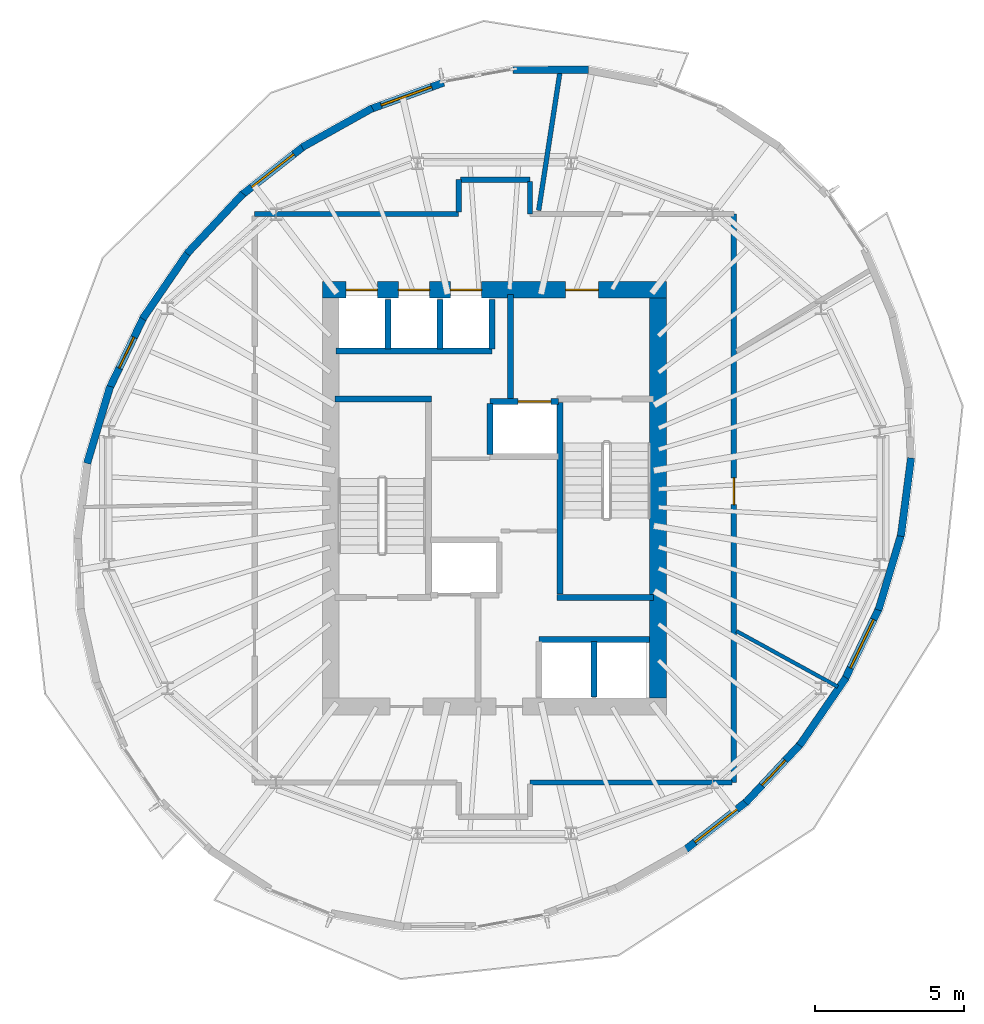
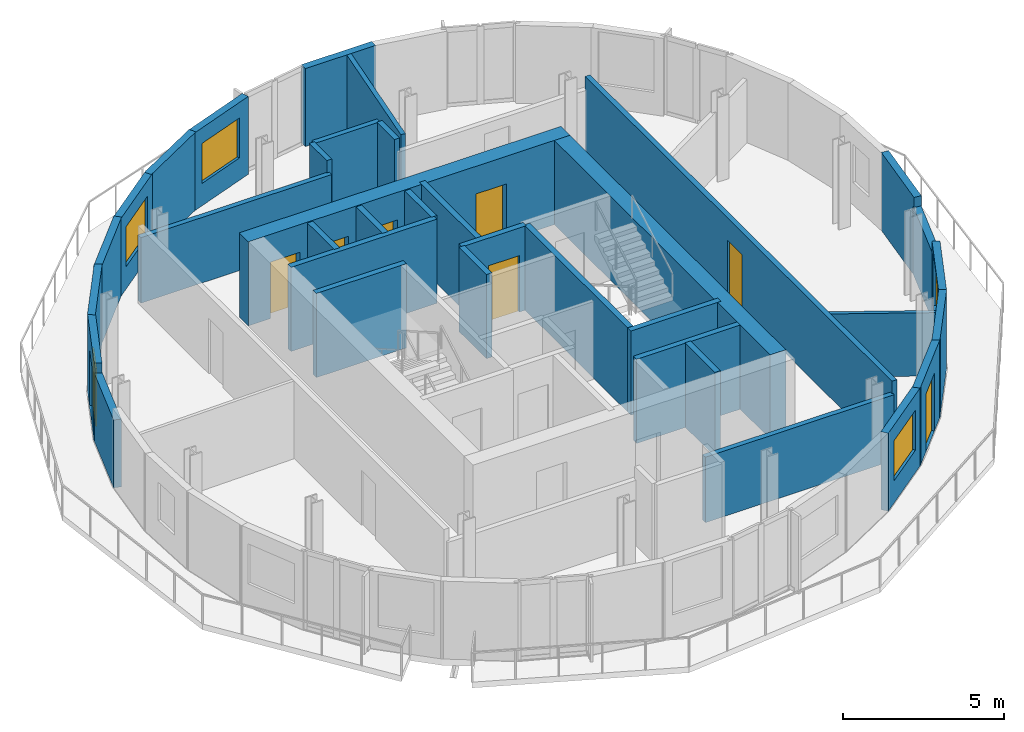
# One storey, part 5 of 9: 36 walls, 8 doors, 4 windows, 12 openings.
"""IFC4 building model written with IfcOpenShell, lengths in metres."""

from ifc_helpers import new_model, si_unit, direction, frame, frame_2d, origin, place, context, subcontext, project, spatial, rectangle, extrude, material, layer, layer_set, type_object, element, fill, save


model = new_model("IFC4")

# Units and contexts
model_context = context("Model", 3, precision=1e-05, world=origin(), true_north=direction((0.0, 1.0)))
body_context = subcontext(model_context, "Body", "Model", "MODEL_VIEW")
ifc_project = project(units=[si_unit("LENGTHUNIT", "METRE"), si_unit("AREAUNIT", "SQUARE_METRE"), si_unit("VOLUMEUNIT", "CUBIC_METRE"), si_unit("PLANEANGLEUNIT", "RADIAN"), si_unit("MASSUNIT", "GRAM", prefix="KILO")], contexts=[model_context])

# Site, building, storey
site_placement = place(None, origin())
site = spatial("IfcSite", under=ifc_project, at=site_placement, CompositionType="ELEMENT")
building_placement = place(site_placement, origin())
building = spatial("IfcBuilding", under=site, at=building_placement, Name="Veldorim Arch Residences", CompositionType="ELEMENT")
storey_placement = place(building_placement, frame((0.0, 0.0, 204.639892578125)))
storey = spatial("IfcBuildingStorey", under=building, at=storey_placement, Name="L61", CompositionType="ELEMENT", Elevation=204.639892578125)

# Walls
ifc_material_1 = material(Name="Acoustic Gypsum Board", Category="gypsum")
ifc_layer_1 = layer(ifc_material_1, 0.125, Name="Acoustic Stud Room Partition Wall 125")
ifc_layer_set_1 = layer_set([ifc_layer_1], Name="Acoustic Gypsum Board")
wall_type_1 = type_object("IfcWallType", Name="Acoustic Stud Room Partition Wall 125", PredefinedType="PARTITIONING", material=ifc_layer_set_1)
wall_1_placement = place(storey_placement, frame((40.1376953125, 19.53369140625, 0.0), z_axis=(0.0, 0.0, 1.0), x_axis=(0.876643036825, -0.481141336809, 0.0)))
element("IfcWall", 1, at=wall_1_placement, inside=storey, type_object=wall_type_1, Name="L61 interior wall WL-SKY-L61-015", PredefinedType="PARTITIONING", context=body_context, shape_type="SweptSolid", body=[
    extrude(rectangle(XDim=3.8828125, YDim=0.125, at=frame_2d((1.94140625, 0.0))), origin(), (0.0, 0.0, 1.0), 2.403564453125),
])
ifc_material_2 = material(Name="Lightweight Masonry Block & Gypsum", Category="masonry")
ifc_layer_2 = layer(ifc_material_2, 0.179931640625, Name="Compartment & Corridor Fire-Rated Party Wall 180")
ifc_layer_set_2 = layer_set([ifc_layer_2], Name="Lightweight Masonry Block & Gypsum")
wall_type_2 = type_object("IfcWallType", Name="Compartment & Corridor Fire-Rated Party Wall 180", PredefinedType="PARTITIONING", material=ifc_layer_set_2)
wall_2_placement = place(storey_placement, frame((23.949951171875, 33.550048828125, 0.0), z_axis=(0.0, 0.0, 1.0), x_axis=(1.0, 0.0, 0.0)))
element("IfcWall", 2, at=wall_2_placement, inside=storey, type_object=wall_type_2, Name="L61 interior wall WL-SKY-L61-001", PredefinedType="PARTITIONING", context=body_context, shape_type="SweptSolid", body=[
    extrude(rectangle(XDim=6.85009765625, YDim=0.179931640625, at=frame_2d((3.425048828125, 0.0))), origin(), (0.0, 0.0, 1.0), 2.488037109375),
])
wall_3_placement = place(storey_placement, frame((30.800048828125, 33.610107421875, 0.0), z_axis=(0.0, 0.0, 1.0), x_axis=(0.0, 1.0, 0.0)))
element("IfcWall", 3, at=wall_3_placement, inside=storey, type_object=wall_type_2, Name="L61 interior wall WL-SKY-L61-002", PredefinedType="PARTITIONING", context=body_context, shape_type="SweptSolid", body=[
    extrude(rectangle(XDim=1.08984375, YDim=0.179931640625, at=frame_2d((0.544921875, 0.0))), origin(), (0.0, 0.0, 1.0), 2.955078125),
])
wall_4_placement = place(storey_placement, frame((30.860107421875, 34.699951171875, 0.0), z_axis=(0.0, 0.0, 1.0), x_axis=(1.0, 0.0, 0.0)))
element("IfcWall", 4, at=wall_4_placement, inside=storey, type_object=wall_type_2, Name="L61 interior wall WL-SKY-L61-003", PredefinedType="PARTITIONING", context=body_context, shape_type="SweptSolid", body=[
    extrude(rectangle(XDim=2.33984375, YDim=0.179931640625, at=frame_2d((1.169921875, 0.0))), origin(), (0.0, 0.0, 1.0), 2.955078125),
])
wall_5_placement = place(storey_placement, frame((33.199951171875, 34.639892578125, 0.0), z_axis=(0.0, 0.0, 1.0), x_axis=(0.0, -1.0, 0.0)))
element("IfcWall", 5, at=wall_5_placement, inside=storey, type_object=wall_type_2, Name="L61 interior wall WL-SKY-L61-004", PredefinedType="PARTITIONING", context=body_context, shape_type="SweptSolid", body=[
    extrude(rectangle(XDim=1.08984375, YDim=0.179931640625, at=frame_2d((0.544921875, 0.0))), origin(), (0.0, 0.0, 1.0), 2.955078125),
])

# Wall, opening, door
wall_6_placement = place(storey_placement, frame((40.050048828125, 33.550048828125, 0.0), z_axis=(0.0, 0.0, 1.0), x_axis=(0.0, -1.0, 0.0)))
wall_6 = element("IfcWall", 6, at=wall_6_placement, inside=storey, type_object=wall_type_2, Name="L61 interior wall WL-SKY-L61-007", PredefinedType="PARTITIONING", context=body_context, shape_type="SweptSolid", body=[
    extrude(rectangle(XDim=19.10009765625, YDim=0.179931640625, at=frame_2d((9.550048828125, 0.0))), origin(), (0.0, 0.0, 1.0), 2.955078125),
])
opening_1_placement = place(wall_6_placement, frame((8.867431640625, 0.0, 0.0)))
opening_1 = element("IfcOpeningElement", 7, at=opening_1_placement, cuts=wall_6, Name="Opening DR-INT", PredefinedType="OPENING", context=body_context, shape_type="SweptSolid", body=[
    extrude(rectangle(XDim=0.89990234375, YDim=2.10009765625, at=frame_2d((0.449951171875, 1.050048828125))), frame((0.0, 0.099853515625, 0.0), z_axis=(0.0, -1.0, 0.0), x_axis=(1.0, 0.0, 0.0)), (0.0, 0.0, 1.0), 0.199951171875),
])
ifc_material_3 = material(Name="Engineered Timber", Category="wood")
door_type_1 = type_object("IfcDoorType", Name="Apartment Internal Room Timber Door 900x2100", OperationType="SINGLE_SWING_LEFT", PredefinedType="DOOR", material=ifc_material_3)
door_1_placement = place(opening_1_placement, origin())
door_1 = element("IfcDoor", 8, at=door_1_placement, inside=storey, type_object=door_type_1, Name="L61 interior door DR-SKY-L61-003", OperationType="SINGLE_SWING_LEFT", OverallHeight=2.10009765625, OverallWidth=0.89990234375, PredefinedType="DOOR", context=body_context, shape_type="SweptSolid", body=[
    extrude(rectangle(XDim=0.89990234375, YDim=2.10009765625, at=frame_2d((0.449951171875, 1.050048828125))), frame((0.0, 0.02490234375, 0.0), z_axis=(0.0, -1.0, 0.0), x_axis=(1.0, 0.0, 0.0)), (0.0, 0.0, 1.0), 0.050048828125),
])
fill(opening_1, door_1)

# Walls
wall_7_placement = place(storey_placement, frame((39.989990234375, 14.449951171875, 0.0), z_axis=(0.0, 0.0, 1.0), x_axis=(-1.0, 0.0, 0.0)))
element("IfcWall", 9, at=wall_7_placement, inside=storey, type_object=wall_type_2, Name="L61 interior wall WL-SKY-L61-008", PredefinedType="PARTITIONING", context=body_context, shape_type="SweptSolid", body=[
    extrude(rectangle(XDim=6.7900390625, YDim=0.179931640625, at=frame_2d((3.39501953125, 0.0))), origin(), (0.0, 0.0, 1.0), 2.488037109375),
])
ifc_material_4 = material(Name="Concrete C50/60", Category="concrete")
ifc_layer_3 = layer(ifc_material_4, 0.199951171875, Name="Core Stair & Lift Shaft Enclosure Wall 200")
ifc_layer_set_3 = layer_set([ifc_layer_3], Name="Concrete C50/60")
wall_type_3 = type_object("IfcWallType", Name="Core Stair & Lift Shaft Enclosure Wall 200", PredefinedType="SHEAR", material=ifc_layer_set_3)
wall_8_placement = place(storey_placement, frame((26.64990234375, 27.330078125, 0.0), z_axis=(0.0, 0.0, 1.0), x_axis=(1.0, 0.0, 0.0)))
element("IfcWall", 10, at=wall_8_placement, inside=storey, type_object=wall_type_3, Name="L61 shaft wall WL-SHF-L61-ST1-N", PredefinedType="SHEAR", context=body_context, shape_type="SweptSolid", body=[
    extrude(rectangle(XDim=3.239990234375, YDim=0.199951171875, at=frame_2d((1.6201171875, 0.0))), origin(), (0.0, 0.0, 1.0), 3.2001953125),
])
wall_9_placement = place(storey_placement, frame((34.2099609375, 20.780029296875, 0.0), z_axis=(0.0, 0.0, 1.0), x_axis=(0.0, 1.0, 0.0)))
element("IfcWall", 11, at=wall_9_placement, inside=storey, type_object=wall_type_3, Name="L61 shaft wall WL-SHF-L61-ST2-W", PredefinedType="SHEAR", context=body_context, shape_type="SweptSolid", body=[
    extrude(rectangle(XDim=6.43994140625, YDim=0.199951171875, at=frame_2d((3.219970703125, 0.0))), origin(), (0.0, 0.0, 1.0), 3.2001953125),
])
wall_10_placement = place(storey_placement, frame((34.110107421875, 20.669921875, 0.0), z_axis=(0.0, 0.0, 1.0), x_axis=(1.0, 0.0, 0.0)))
element("IfcWall", 12, at=wall_10_placement, inside=storey, type_object=wall_type_3, Name="L61 shaft wall WL-SHF-L61-ST2-S", PredefinedType="SHEAR", context=body_context, shape_type="SweptSolid", body=[
    extrude(rectangle(XDim=3.239990234375, YDim=0.199951171875, at=frame_2d((1.6201171875, 0.0))), origin(), (0.0, 0.0, 1.0), 3.2001953125),
])
wall_11_placement = place(storey_placement, frame((32.550048828125, 27.35009765625, 0.0), z_axis=(0.0, 0.0, 1.0), x_axis=(0.0, 1.0, 0.0)))
element("IfcWall", 13, at=wall_11_placement, inside=storey, type_object=wall_type_3, Name="L61 shaft wall WL-FFL2-L61-W", PredefinedType="SHEAR", context=body_context, shape_type="SweptSolid", body=[
    extrude(rectangle(XDim=3.5, YDim=0.199951171875, at=frame_2d((1.75, 0.0))), origin(), (0.0, 0.0, 1.0), 3.2001953125),
])

# Wall, opening, door
wall_12_placement = place(storey_placement, frame((31.85009765625, 27.25, 0.0), z_axis=(0.0, 0.0, 1.0), x_axis=(1.0, 0.0, 0.0)))
wall_12 = element("IfcWall", 14, at=wall_12_placement, inside=storey, type_object=wall_type_3, Name="L61 shaft wall WL-FL02-L61-N", PredefinedType="SHEAR", context=body_context, shape_type="SweptSolid", body=[
    extrude(rectangle(XDim=2.2998046875, YDim=0.199951171875, at=frame_2d((1.14990234375, 0.0))), origin(), (0.0, 0.0, 1.0), 3.2001953125),
])
opening_2_placement = place(wall_12_placement, frame((0.949951171875, 0.0, 0.0)))
opening_2 = element("IfcOpeningElement", 15, at=opening_2_placement, cuts=wall_12, Name="Opening LD-FF", PredefinedType="OPENING", context=body_context, shape_type="SweptSolid", body=[
    extrude(rectangle(XDim=1.10009765625, YDim=2.14990234375, at=frame_2d((0.550048828125, 1.074951171875))), frame((0.0, 0.10986328125, 0.0), z_axis=(0.0, -1.0, 0.0), x_axis=(1.0, 0.0, 0.0)), (0.0, 0.0, 1.0), 0.219970703125),
])
ifc_material_5 = material(Name="Stainless Steel", Category="steel")
door_type_2 = type_object("IfcDoorType", Name="Firefighting Lift Bi-Parting Sliding Landing Door 1100x2150", OperationType="DOUBLE_DOOR_SLIDING", PredefinedType="DOOR", material=ifc_material_5)
door_2_placement = place(opening_2_placement, origin())
door_2 = element("IfcDoor", 16, at=door_2_placement, inside=storey, type_object=door_type_2, Name="L61 lift landing door LD-L61-FL02", OperationType="DOUBLE_DOOR_SLIDING", OverallHeight=2.14990234375, OverallWidth=1.10009765625, PredefinedType="DOOR", context=body_context, shape_type="SweptSolid", body=[
    extrude(rectangle(XDim=1.10009765625, YDim=2.14990234375, at=frame_2d((0.550048828125, 1.074951171875))), frame((0.0, 0.02490234375, 0.0), z_axis=(0.0, -1.0, 0.0), x_axis=(1.0, 0.0, 0.0)), (0.0, 0.0, 1.0), 0.050048828125),
])
fill(opening_2, door_2)

# Walls
wall_13_placement = place(storey_placement, frame((31.85009765625, 25.469970703125, 0.0), z_axis=(0.0, 0.0, 1.0), x_axis=(0.0, 1.0, 0.0)))
element("IfcWall", 17, at=wall_13_placement, inside=storey, type_object=wall_type_3, Name="L61 shaft wall WL-FL02-L61-W", PredefinedType="SHEAR", context=body_context, shape_type="SweptSolid", body=[
    extrude(rectangle(XDim=1.7099609375, YDim=0.199951171875, at=frame_2d((0.85498046875, 0.0))), origin(), (0.0, 0.0, 1.0), 3.2001953125),
])
wall_14_placement = place(storey_placement, frame((26.679931640625, 28.949951171875, 0.0), z_axis=(0.0, 0.0, 1.0), x_axis=(1.0, 0.0, 0.0)))
element("IfcWall", 18, at=wall_14_placement, inside=storey, type_object=wall_type_3, Name="L61 shaft wall WL-B3-L61-S", PredefinedType="SHEAR", context=body_context, shape_type="SweptSolid", body=[
    extrude(rectangle(XDim=5.239990234375, YDim=0.199951171875, at=frame_2d((2.6201171875, 0.0))), origin(), (0.0, 0.0, 1.0), 3.2001953125),
])
for number, where, z_axis, x_axis, name in (
    (19, (31.919921875, 29.02001953125, 0.0), (0.0, 0.0, 1.0), (0.0, 1.0, 0.0), "L61 shaft wall WL-B3-L61-E"),
    (20, (28.425048828125, 29.02001953125, 0.0), (0.0, 0.0, 1.0), (0.0, 1.0, 0.0), "L61 shaft wall WL-B3-L61-D1"),
    (21, (30.175048828125, 29.02001953125, 0.0), (0.0, 0.0, 1.0), (0.0, 1.0, 0.0), "L61 shaft wall WL-B3-L61-D2"),
):
    element("IfcWall", number, at=place(storey_placement, frame(where, z_axis=z_axis, x_axis=x_axis)), inside=storey, type_object=wall_type_3, Name=name, PredefinedType="SHEAR", context=body_context, shape_type="SweptSolid", body=[
        extrude(rectangle(XDim=1.659912109375, YDim=0.199951171875, at=frame_2d((0.830078125, 0.0))), origin(), (0.0, 0.0, 1.0), 3.2001953125),
    ])
wall_15_placement = place(storey_placement, frame((33.5, 19.25, 0.0), z_axis=(0.0, 0.0, 1.0), x_axis=(1.0, 0.0, 0.0)))
element("IfcWall", 22, at=wall_15_placement, inside=storey, type_object=wall_type_3, Name="L61 shaft wall WL-OL-L61-N", PredefinedType="SHEAR", context=body_context, shape_type="SweptSolid", body=[
    extrude(rectangle(XDim=3.719970703125, YDim=0.199951171875, at=frame_2d((1.85986328125, 0.0))), origin(), (0.0, 0.0, 1.0), 3.2001953125),
])
wall_16_placement = place(storey_placement, frame((35.35009765625, 17.320068359375, 0.0), z_axis=(0.0, 0.0, 1.0), x_axis=(0.0, 1.0, 0.0)))
element("IfcWall", 23, at=wall_16_placement, inside=storey, type_object=wall_type_3, Name="L61 shaft wall WL-OL-L61-D1", PredefinedType="SHEAR", context=body_context, shape_type="SweptSolid", body=[
    extrude(rectangle(XDim=1.85986328125, YDim=0.199951171875, at=frame_2d((0.929931640625, 0.0))), origin(), (0.0, 0.0, 1.0), 3.2001953125),
])
ifc_material_6 = material(Name="Precast concrete C40/50", Category="concrete")
ifc_layer_4 = layer(ifc_material_6, 0.25, Name="Tower Terracotta Spandrel & Pier Wall 250")
ifc_layer_set_4 = layer_set([ifc_layer_4], Name="Precast concrete C40/50")
wall_type_4 = type_object("IfcWallType", Name="Tower Terracotta Spandrel & Pier Wall 250", PredefinedType="SOLIDWALL", material=ifc_layer_set_4)
wall_17_placement = place(storey_placement, frame((32.626220703125, 38.386474609375, 0.0), z_axis=(0.0, 0.0, 1.0), x_axis=(0.999998809943, 0.001542761639, 0.0)))
element("IfcWall", 24, at=wall_17_placement, inside=storey, type_object=wall_type_4, Name="L61 terracotta facade wall 04", PredefinedType="SOLIDWALL", context=body_context, shape_type="SweptSolid", body=[
    extrude(rectangle(XDim=2.531982421875, YDim=0.25, at=frame_2d((1.26611328125, 0.0))), origin(), (0.0, 0.0, 1.0), 2.960205078125),
])

# Wall, opening, window
wall_18_placement = place(storey_placement, frame((27.80078125, 37.06201171875, 0.0), z_axis=(0.0, 0.0, 1.0), x_axis=(0.940228234169, 0.340544956901, 0.0)))
wall_18 = element("IfcWall", 25, at=wall_18_placement, inside=storey, type_object=wall_type_4, Name="L61 terracotta facade wall 06", PredefinedType="SOLIDWALL", context=body_context, shape_type="SweptSolid", body=[
    extrude(rectangle(XDim=2.651123046875, YDim=0.25, at=frame_2d((1.32568359375, 0.0))), origin(), (0.0, 0.0, 1.0), 2.960205078125),
])
opening_3_placement = place(wall_18_placement, frame((0.425048828125, 0.0, 0.85009765625)))
opening_3 = element("IfcOpeningElement", 26, at=opening_3_placement, cuts=wall_18, Name="Opening WN-04", PredefinedType="OPENING", context=body_context, shape_type="SweptSolid", body=[
    extrude(rectangle(XDim=1.800048828125, YDim=1.52001953125, at=frame_2d((0.89990234375, 0.760009765625))), frame((0.0, 0.135009765625, 0.0), z_axis=(0.0, -1.0, 0.0), x_axis=(1.0, 0.0, 0.0)), (0.0, 0.0, 1.0), 0.27001953125),
])
ifc_material_7 = material(Name="Laminated Low-E Glass", Category="glass")
window_type = type_object("IfcWindowType", Name="Sky Lounge Tall Picture Window 1800x1370", PartitioningType="SINGLE_PANEL", PredefinedType="WINDOW", material=ifc_material_7)
window_1_placement = place(opening_3_placement, origin())
window_1 = element("IfcWindow", 27, at=window_1_placement, inside=storey, type_object=window_type, Name="L61 solar-control facade window 06", OverallHeight=1.52001953125, OverallWidth=1.800048828125, PartitioningType="SINGLE_PANEL", PredefinedType="WINDOW", context=body_context, shape_type="SweptSolid", body=[
    extrude(rectangle(XDim=1.800048828125, YDim=1.52001953125, at=frame_2d((0.89990234375, 0.760009765625))), frame((0.0, 0.030029296875, 0.0), z_axis=(0.0, -1.0, 0.0), x_axis=(1.0, 0.0, 0.0)), (0.0, 0.0, 1.0), 0.06005859375),
])
fill(opening_3, window_1)

# Wall
wall_19_placement = place(storey_placement, frame((25.541748046875, 35.791015625, 0.0), z_axis=(0.0, 0.0, 1.0), x_axis=(0.873170871474, 0.487414227541, 0.0)))
element("IfcWall", 28, at=wall_19_placement, inside=storey, type_object=wall_type_4, Name="L61 terracotta facade wall 07", PredefinedType="SOLIDWALL", context=body_context, shape_type="SweptSolid", body=[
    extrude(rectangle(XDim=2.701904296875, YDim=0.25, at=frame_2d((1.35107421875, 0.0))), origin(), (0.0, 0.0, 1.0), 2.960205078125),
])

# Wall, opening, window
wall_20_placement = place(storey_placement, frame((23.478515625, 34.160888671875, 0.0), z_axis=(0.0, 0.0, 1.0), x_axis=(0.786714177012, 0.617317425389, 0.0)))
wall_20 = element("IfcWall", 29, at=wall_20_placement, inside=storey, type_object=wall_type_4, Name="L61 terracotta facade wall 08", PredefinedType="SOLIDWALL", context=body_context, shape_type="SweptSolid", body=[
    extrude(rectangle(XDim=2.73828125, YDim=0.25, at=frame_2d((1.369140625, 0.0))), origin(), (0.0, 0.0, 1.0), 2.960205078125),
])
opening_4_placement = place(wall_20_placement, frame((0.468994140625, 0.0, 0.85009765625)))
opening_4 = element("IfcOpeningElement", 30, at=opening_4_placement, cuts=wall_20, Name="Opening WN-04", PredefinedType="OPENING", context=body_context, shape_type="SweptSolid", body=[
    extrude(rectangle(XDim=1.800048828125, YDim=1.52001953125, at=frame_2d((0.89990234375, 0.760009765625))), frame((0.0, 0.135009765625, 0.0), z_axis=(0.0, -1.0, 0.0), x_axis=(1.0, 0.0, 0.0)), (0.0, 0.0, 1.0), 0.27001953125),
])
window_2_placement = place(opening_4_placement, origin())
window_2 = element("IfcWindow", 31, at=window_2_placement, inside=storey, type_object=window_type, Name="L61 solar-control facade window 08", OverallHeight=1.52001953125, OverallWidth=1.800048828125, PartitioningType="SINGLE_PANEL", PredefinedType="WINDOW", context=body_context, shape_type="SweptSolid", body=[
    extrude(rectangle(XDim=1.800048828125, YDim=1.52001953125, at=frame_2d((0.89990234375, 0.760009765625))), frame((0.0, 0.030029296875, 0.0), z_axis=(0.0, -1.0, 0.0), x_axis=(1.0, 0.0, 0.0)), (0.0, 0.0, 1.0), 0.06005859375),
])
fill(opening_4, window_2)

# Walls
for number, where, z_axis, x_axis, name in (
    (32, (21.673828125, 32.220703125, 0.0), (0.0, 0.0, 1.0), (0.683352018902, 0.730089048174, 0.0), "L61 terracotta facade wall 09"),
    (33, (20.183349609375, 30.0302734375, 0.0), (0.0, 0.0, 1.0), (0.565115417993, 0.825011857095, 0.0), "L61 terracotta facade wall 10"),
):
    element("IfcWall", number, at=place(storey_placement, frame(where, z_axis=z_axis, x_axis=x_axis)), inside=storey, type_object=wall_type_4, Name=name, PredefinedType="SOLIDWALL", context=body_context, shape_type="SweptSolid", body=[
        extrude(rectangle(XDim=2.758056640625, YDim=0.25, at=frame_2d((1.37890625, 0.0))), origin(), (0.0, 0.0, 1.0), 2.960205078125),
    ])

# Wall, opening, door
wall_21_placement = place(storey_placement, frame((19.052490234375, 27.65576171875, 0.0), z_axis=(0.0, 0.0, 1.0), x_axis=(0.432820910529, 0.901479927347, 0.0)))
wall_21 = element("IfcWall", 34, at=wall_21_placement, inside=storey, type_object=wall_type_4, Name="L61 terracotta facade wall 11", PredefinedType="SOLIDWALL", context=body_context, shape_type="SweptSolid", body=[
    extrude(rectangle(XDim=2.738525390625, YDim=0.25, at=frame_2d((1.369140625, 0.0))), origin(), (0.0, 0.0, 1.0), 2.960205078125),
])
opening_5_placement = place(wall_21_placement, frame((0.7939453125, 0.0, 0.0)))
opening_5 = element("IfcOpeningElement", 35, at=opening_5_placement, cuts=wall_21, Name="Opening BL-DR", PredefinedType="OPENING", context=body_context, shape_type="SweptSolid", body=[
    extrude(rectangle(XDim=1.14990234375, YDim=2.199951171875, at=frame_2d((0.574951171875, 1.10009765625))), frame((0.0, 0.135009765625, 0.0), z_axis=(0.0, -1.0, 0.0), x_axis=(1.0, 0.0, 0.0)), (0.0, 0.0, 1.0), 0.27001953125),
])
ifc_material_8 = material(Name="Aluminium & Low-E Glass", Category="aluminium")
door_type_3 = type_object("IfcDoorType", Name="Glazed Planted Balcony Door 1150x2200", OperationType="SINGLE_SWING_LEFT", PredefinedType="DOOR", material=ifc_material_8)
door_3_placement = place(opening_5_placement, origin())
door_3 = element("IfcDoor", 36, at=door_3_placement, inside=storey, type_object=door_type_3, Name="L61 glazed outdoor terrace door BALC-1", OperationType="SINGLE_SWING_LEFT", OverallHeight=2.199951171875, OverallWidth=1.14990234375, PredefinedType="DOOR", context=body_context, shape_type="SweptSolid", body=[
    extrude(rectangle(XDim=1.14990234375, YDim=2.199951171875, at=frame_2d((0.574951171875, 1.10009765625))), frame((0.0, 0.02490234375, 0.0), z_axis=(0.0, -1.0, 0.0), x_axis=(1.0, 0.0, 0.0)), (0.0, 0.0, 1.0), 0.050048828125),
])
fill(opening_5, door_3)

# Wall
wall_22_placement = place(storey_placement, frame((18.316162109375, 25.169921875, 0.0), z_axis=(0.0, 0.0, 1.0), x_axis=(0.287206932984, 0.957868559692, 0.0)))
element("IfcWall", 37, at=wall_22_placement, inside=storey, type_object=wall_type_4, Name="L61 terracotta facade wall 12", PredefinedType="SOLIDWALL", context=body_context, shape_type="SweptSolid", body=[
    extrude(rectangle(XDim=2.701416015625, YDim=0.25, at=frame_2d((1.3505859375, 0.0))), origin(), (0.0, 0.0, 1.0), 2.5771484375),
])

# Wall, opening, window
wall_23_placement = place(storey_placement, frame((40.521484375, 13.839111328125, 0.0), z_axis=(0.0, 0.0, 1.0), x_axis=(-0.786714177012, -0.617317425389, 0.0)))
wall_23 = element("IfcWall", 38, at=wall_23_placement, inside=storey, type_object=wall_type_4, Name="L61 terracotta facade wall 26", PredefinedType="SOLIDWALL", context=body_context, shape_type="SweptSolid", body=[
    extrude(rectangle(XDim=2.73828125, YDim=0.25, at=frame_2d((1.369140625, 0.0))), origin(), (0.0, 0.0, 1.0), 2.960205078125),
])
opening_6_placement = place(wall_23_placement, frame((0.468994140625, 0.0, 0.85009765625)))
opening_6 = element("IfcOpeningElement", 39, at=opening_6_placement, cuts=wall_23, Name="Opening WN-04", PredefinedType="OPENING", context=body_context, shape_type="SweptSolid", body=[
    extrude(rectangle(XDim=1.800048828125, YDim=1.52001953125, at=frame_2d((0.89990234375, 0.760009765625))), frame((0.0, 0.135009765625, 0.0), z_axis=(0.0, -1.0, 0.0), x_axis=(1.0, 0.0, 0.0)), (0.0, 0.0, 1.0), 0.27001953125),
])
window_3_placement = place(opening_6_placement, origin())
window_3 = element("IfcWindow", 40, at=window_3_placement, inside=storey, type_object=window_type, Name="L61 solar-control facade window 26", OverallHeight=1.52001953125, OverallWidth=1.800048828125, PartitioningType="SINGLE_PANEL", PredefinedType="WINDOW", context=body_context, shape_type="SweptSolid", body=[
    extrude(rectangle(XDim=1.800048828125, YDim=1.52001953125, at=frame_2d((0.89990234375, 0.760009765625))), frame((0.0, 0.030029296875, 0.0), z_axis=(0.0, -1.0, 0.0), x_axis=(1.0, 0.0, 0.0)), (0.0, 0.0, 1.0), 0.06005859375),
])
fill(opening_6, window_3)

# Wall, opening, door
wall_24_placement = place(storey_placement, frame((42.326171875, 15.779296875, 0.0), z_axis=(0.0, 0.0, 1.0), x_axis=(-0.683352018902, -0.730089048174, 0.0)))
wall_24 = element("IfcWall", 41, at=wall_24_placement, inside=storey, type_object=wall_type_4, Name="L61 terracotta facade wall 27", PredefinedType="SOLIDWALL", context=body_context, shape_type="SweptSolid", body=[
    extrude(rectangle(XDim=2.758056640625, YDim=0.25, at=frame_2d((1.37890625, 0.0))), origin(), (0.0, 0.0, 1.0), 2.960205078125),
])
opening_7_placement = place(wall_24_placement, frame((0.803955078125, 0.0, 0.0)))
opening_7 = element("IfcOpeningElement", 42, at=opening_7_placement, cuts=wall_24, Name="Opening BL-DR", PredefinedType="OPENING", context=body_context, shape_type="SweptSolid", body=[
    extrude(rectangle(XDim=1.14990234375, YDim=2.199951171875, at=frame_2d((0.574951171875, 1.10009765625))), frame((0.0, 0.135009765625, 0.0), z_axis=(0.0, -1.0, 0.0), x_axis=(1.0, 0.0, 0.0)), (0.0, 0.0, 1.0), 0.27001953125),
])
door_4_placement = place(opening_7_placement, origin())
door_4 = element("IfcDoor", 43, at=door_4_placement, inside=storey, type_object=door_type_3, Name="L61 glazed outdoor terrace door BALC-2", OperationType="SINGLE_SWING_LEFT", OverallHeight=2.199951171875, OverallWidth=1.14990234375, PredefinedType="DOOR", context=body_context, shape_type="SweptSolid", body=[
    extrude(rectangle(XDim=1.14990234375, YDim=2.199951171875, at=frame_2d((0.574951171875, 1.10009765625))), frame((0.0, 0.02490234375, 0.0), z_axis=(0.0, -1.0, 0.0), x_axis=(1.0, 0.0, 0.0)), (0.0, 0.0, 1.0), 0.050048828125),
])
fill(opening_7, door_4)

# Wall
wall_25_placement = place(storey_placement, frame((43.816650390625, 17.9697265625, 0.0), z_axis=(0.0, 0.0, 1.0), x_axis=(-0.565115417993, -0.825011857095, 0.0)))
element("IfcWall", 44, at=wall_25_placement, inside=storey, type_object=wall_type_4, Name="L61 terracotta facade wall 28", PredefinedType="SOLIDWALL", context=body_context, shape_type="SweptSolid", body=[
    extrude(rectangle(XDim=2.758056640625, YDim=0.25, at=frame_2d((1.37890625, 0.0))), origin(), (0.0, 0.0, 1.0), 2.960205078125),
])

# Wall, opening, window
wall_26_placement = place(storey_placement, frame((44.947509765625, 20.34423828125, 0.0), z_axis=(0.0, 0.0, 1.0), x_axis=(-0.432820910529, -0.901479927347, 0.0)))
wall_26 = element("IfcWall", 45, at=wall_26_placement, inside=storey, type_object=wall_type_4, Name="L61 terracotta facade wall 29", PredefinedType="SOLIDWALL", context=body_context, shape_type="SweptSolid", body=[
    extrude(rectangle(XDim=2.738525390625, YDim=0.25, at=frame_2d((1.369140625, 0.0))), origin(), (0.0, 0.0, 1.0), 2.960205078125),
])
opening_8_placement = place(wall_26_placement, frame((0.468994140625, 0.0, 0.85009765625)))
opening_8 = element("IfcOpeningElement", 46, at=opening_8_placement, cuts=wall_26, Name="Opening WN-04", PredefinedType="OPENING", context=body_context, shape_type="SweptSolid", body=[
    extrude(rectangle(XDim=1.800048828125, YDim=2.0, at=frame_2d((0.89990234375, 1.0))), frame((0.0, 0.135009765625, 0.0), z_axis=(0.0, -1.0, 0.0), x_axis=(1.0, 0.0, 0.0)), (0.0, 0.0, 1.0), 0.27001953125),
])
window_4_placement = place(opening_8_placement, origin())
window_4 = element("IfcWindow", 47, at=window_4_placement, inside=storey, type_object=window_type, Name="L61 solar-control facade window 29", OverallHeight=2.0, OverallWidth=1.800048828125, PartitioningType="SINGLE_PANEL", PredefinedType="WINDOW", context=body_context, shape_type="SweptSolid", body=[
    extrude(rectangle(XDim=1.800048828125, YDim=2.0, at=frame_2d((0.89990234375, 1.0))), frame((0.0, 0.030029296875, 0.0), z_axis=(0.0, -1.0, 0.0), x_axis=(1.0, 0.0, 0.0)), (0.0, 0.0, 1.0), 0.06005859375),
])
fill(opening_8, window_4)

# Walls
wall_27_placement = place(storey_placement, frame((45.683837890625, 22.830078125, 0.0), z_axis=(0.0, 0.0, 1.0), x_axis=(-0.287206932984, -0.957868559692, 0.0)))
element("IfcWall", 48, at=wall_27_placement, inside=storey, type_object=wall_type_4, Name="L61 terracotta facade wall 30", PredefinedType="SOLIDWALL", context=body_context, shape_type="SweptSolid", body=[
    extrude(rectangle(XDim=2.701416015625, YDim=0.25, at=frame_2d((1.3505859375, 0.0))), origin(), (0.0, 0.0, 1.0), 2.5771484375),
])
wall_28_placement = place(storey_placement, frame((46.003662109375, 25.3515625, 0.0), z_axis=(0.0, 0.0, 1.0), x_axis=(-0.129291941608, -0.991606572102, 0.0)))
element("IfcWall", 49, at=wall_28_placement, inside=storey, type_object=wall_type_4, Name="L61 terracotta facade wall 31", PredefinedType="SOLIDWALL", context=body_context, shape_type="SweptSolid", body=[
    extrude(rectangle(XDim=2.651123046875, YDim=0.25, at=frame_2d((1.32568359375, 0.0))), origin(), (0.0, 0.0, 1.0), 2.960205078125),
])

# Wall, openings, doors
ifc_material_9 = material(Name="Concrete C50/60", Category="concrete")
ifc_layer_5 = layer(ifc_material_9, 0.5, Name="Upper Central Core Shear Wall 560")
ifc_layer_set_5 = layer_set([ifc_layer_5], Name="Concrete C50/60")
wall_type_5 = type_object("IfcWallType", Name="Upper Central Core Shear Wall 560", PredefinedType="SHEAR", material=ifc_layer_set_5)
wall_29_placement = place(storey_placement, frame((26.219970703125, 31.0, 0.0), z_axis=(0.0, 0.0, 1.0), x_axis=(1.0, 0.0, 0.0)))
wall_29 = element("IfcWall", 50, at=wall_29_placement, inside=storey, type_object=wall_type_5, Name="L61 central core north shear wall", PredefinedType="SHEAR", context=body_context, shape_type="SweptSolid", body=[
    extrude(rectangle(XDim=11.56005859375, YDim=0.56005859375, at=frame_2d((5.780029296875, 0.0))), origin(), (0.0, 0.0, 1.0), 3.2001953125),
])
opening_9_placement = place(wall_29_placement, frame((8.179931640625, 0.0, 0.0)))
opening_9 = element("IfcOpeningElement", 51, at=opening_9_placement, cuts=wall_29, Name="Opening DR-FFL", PredefinedType="OPENING", context=body_context, shape_type="SweptSolid", body=[
    extrude(rectangle(XDim=1.10009765625, YDim=2.14990234375, at=frame_2d((0.550048828125, 1.074951171875))), frame((0.0, 0.2900390625, 0.0), z_axis=(0.0, -1.0, 0.0), x_axis=(1.0, 0.0, 0.0)), (0.0, 0.0, 1.0), 0.580078125),
])
opening_10_placement = place(wall_29_placement, frame((0.804931640625, 0.0, 0.0)))
opening_10 = element("IfcOpeningElement", 52, at=opening_10_placement, cuts=wall_29, Name="Opening LD-PS", PredefinedType="OPENING", context=body_context, shape_type="SweptSolid", body=[
    extrude(rectangle(XDim=1.050048828125, YDim=2.14990234375, at=frame_2d((0.52490234375, 1.074951171875))), frame((0.0, 0.2900390625, 0.0), z_axis=(0.0, -1.0, 0.0), x_axis=(1.0, 0.0, 0.0)), (0.0, 0.0, 1.0), 0.580078125),
])
opening_11_placement = place(wall_29_placement, frame((2.554931640625, 0.0, 0.0)))
opening_11 = element("IfcOpeningElement", 53, at=opening_11_placement, cuts=wall_29, Name="Opening LD-PS", PredefinedType="OPENING", context=body_context, shape_type="SweptSolid", body=[
    extrude(rectangle(XDim=1.050048828125, YDim=2.14990234375, at=frame_2d((0.52490234375, 1.074951171875))), frame((0.0, 0.2900390625, 0.0), z_axis=(0.0, -1.0, 0.0), x_axis=(1.0, 0.0, 0.0)), (0.0, 0.0, 1.0), 0.580078125),
])
opening_12_placement = place(wall_29_placement, frame((4.304931640625, 0.0, 0.0)))
opening_12 = element("IfcOpeningElement", 54, at=opening_12_placement, cuts=wall_29, Name="Opening LD-PS", PredefinedType="OPENING", context=body_context, shape_type="SweptSolid", body=[
    extrude(rectangle(XDim=1.050048828125, YDim=2.14990234375, at=frame_2d((0.52490234375, 1.074951171875))), frame((0.0, 0.2900390625, 0.0), z_axis=(0.0, -1.0, 0.0), x_axis=(1.0, 0.0, 0.0)), (0.0, 0.0, 1.0), 0.580078125),
])
ifc_material_10 = material(Name="Fire-Rated Steel & Vision Glass", Category="steel")
door_type_4 = type_object("IfcDoorType", Name="Firefighting Lobby Smoke-Stop Fire Door 1100x2150", OperationType="SINGLE_SWING_LEFT", PredefinedType="DOOR", material=ifc_material_10)
door_5_placement = place(opening_9_placement, origin())
door_5 = element("IfcDoor", 55, at=door_5_placement, inside=storey, type_object=door_type_4, Name="L61 interior door DR-L61-FFL2", OperationType="SINGLE_SWING_LEFT", OverallHeight=2.14990234375, OverallWidth=1.10009765625, PredefinedType="DOOR", context=body_context, shape_type="SweptSolid", body=[
    extrude(rectangle(XDim=1.10009765625, YDim=2.14990234375, at=frame_2d((0.550048828125, 1.074951171875))), frame((0.0, 0.02490234375, 0.0), z_axis=(0.0, -1.0, 0.0), x_axis=(1.0, 0.0, 0.0)), (0.0, 0.0, 1.0), 0.050048828125),
])
fill(opening_9, door_5)
ifc_material_11 = material(Name="Stainless Steel", Category="steel")
door_type_5 = type_object("IfcDoorType", Name="Passenger Lift Bi-Parting Sliding Landing Door 1050x2150", OperationType="DOUBLE_DOOR_SLIDING", PredefinedType="DOOR", material=ifc_material_11)
door_6_placement = place(opening_10_placement, origin())
door_6 = element("IfcDoor", 56, at=door_6_placement, inside=storey, type_object=door_type_5, Name="L61 lift landing door LD-L61-PL-08", OperationType="DOUBLE_DOOR_SLIDING", OverallHeight=2.14990234375, OverallWidth=1.050048828125, PredefinedType="DOOR", context=body_context, shape_type="SweptSolid", body=[
    extrude(rectangle(XDim=1.050048828125, YDim=2.14990234375, at=frame_2d((0.52490234375, 1.074951171875))), frame((0.0, 0.02490234375, 0.0), z_axis=(0.0, -1.0, 0.0), x_axis=(1.0, 0.0, 0.0)), (0.0, 0.0, 1.0), 0.050048828125),
])
fill(opening_10, door_6)
door_7_placement = place(opening_11_placement, origin())
door_7 = element("IfcDoor", 57, at=door_7_placement, inside=storey, type_object=door_type_5, Name="L61 lift landing door LD-L61-PL-09", OperationType="DOUBLE_DOOR_SLIDING", OverallHeight=2.14990234375, OverallWidth=1.050048828125, PredefinedType="DOOR", context=body_context, shape_type="SweptSolid", body=[
    extrude(rectangle(XDim=1.050048828125, YDim=2.14990234375, at=frame_2d((0.52490234375, 1.074951171875))), frame((0.0, 0.02490234375, 0.0), z_axis=(0.0, -1.0, 0.0), x_axis=(1.0, 0.0, 0.0)), (0.0, 0.0, 1.0), 0.050048828125),
])
fill(opening_11, door_7)
door_8_placement = place(opening_12_placement, origin())
door_8 = element("IfcDoor", 58, at=door_8_placement, inside=storey, type_object=door_type_5, Name="L61 lift landing door LD-L61-PL-10", OperationType="DOUBLE_DOOR_SLIDING", OverallHeight=2.14990234375, OverallWidth=1.050048828125, PredefinedType="DOOR", context=body_context, shape_type="SweptSolid", body=[
    extrude(rectangle(XDim=1.050048828125, YDim=2.14990234375, at=frame_2d((0.52490234375, 1.074951171875))), frame((0.0, 0.02490234375, 0.0), z_axis=(0.0, -1.0, 0.0), x_axis=(1.0, 0.0, 0.0)), (0.0, 0.0, 1.0), 0.050048828125),
])
fill(opening_12, door_8)

# Walls
wall_30_placement = place(storey_placement, frame((37.5, 17.280029296875, 0.0), z_axis=(0.0, 0.0, 1.0), x_axis=(0.0, 1.0, 0.0)))
element("IfcWall", 59, at=wall_30_placement, inside=storey, type_object=wall_type_5, Name="L61 central core east shear wall", PredefinedType="SHEAR", context=body_context, shape_type="SweptSolid", body=[
    extrude(rectangle(XDim=13.43994140625, YDim=0.56005859375, at=frame_2d((6.719970703125, 0.0))), origin(), (0.0, 0.0, 1.0), 3.2001953125),
])
ifc_material_12 = material(Name="Moisture-Resistant Gypsum & Stud", Category="gypsum")
ifc_layer_6 = layer(ifc_material_12, 0.159912109375, Name="Wet-Area Moisture-Resistant Plumbing Wall 160")
ifc_layer_set_6 = layer_set([ifc_layer_6], Name="Moisture-Resistant Gypsum & Stud")
wall_type_6 = type_object("IfcWallType", Name="Wet-Area Moisture-Resistant Plumbing Wall 160", PredefinedType="PLUMBINGWALL", material=ifc_layer_set_6)
wall_31_placement = place(storey_placement, frame((34.208740234375, 38.333984375, 0.0), z_axis=(0.0, 0.0, 1.0), x_axis=(-0.152267055073, -0.988339387022, 0.0)))
element("IfcWall", 60, at=wall_31_placement, inside=storey, type_object=wall_type_6, Name="L61 interior wall WL-SKY-L61-014", PredefinedType="PLUMBINGWALL", context=body_context, shape_type="SweptSolid", body=[
    extrude(rectangle(XDim=4.72021484375, YDim=0.159912109375, at=frame_2d((2.360107421875, 0.0))), origin(), (0.0, 0.0, 1.0), 2.955078125),
])

save(model, "model.ifc")
